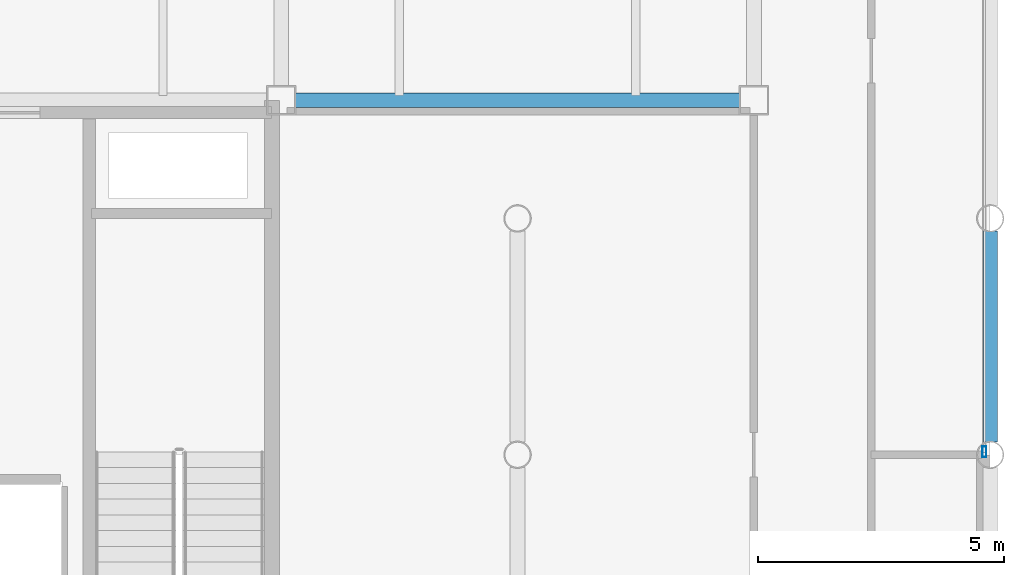
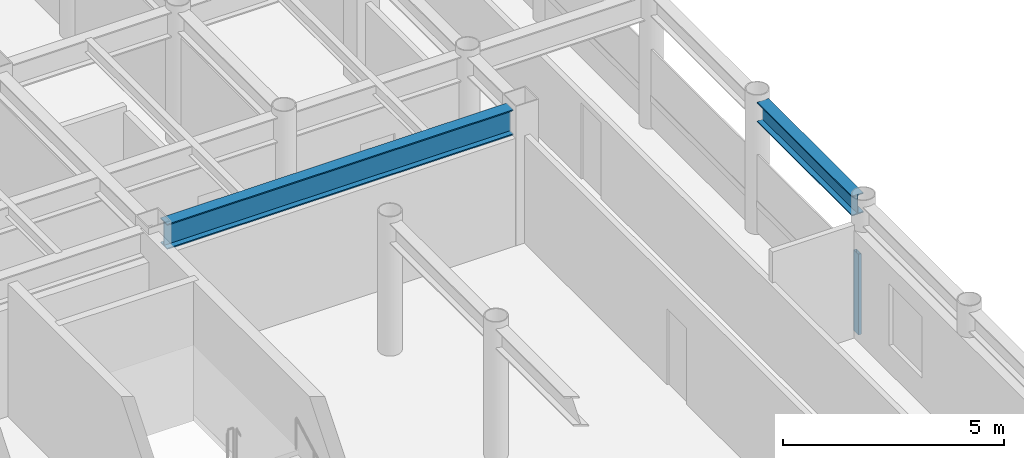
# One storey, part 10 of 22: 2 beams, 1 member, 1 element without a shape of its own.
"""IFC4 building model written with IfcOpenShell, lengths in metres."""

from ifc_helpers import new_model, si_unit, direction, frame, origin, origin_2d, place, context, subcontext, project, spatial, hollow_rectangle, i_section, extrude, material, layer, layer_set, material_profile, profile_set, type_object, element, aggregate, save


model = new_model("IFC4")

# Units and contexts
model_context = context("Model", 3, precision=1e-05, world=origin(), true_north=direction((0.0, 1.0)))
body_context = subcontext(model_context, "Body", "Model", "MODEL_VIEW")
ifc_project = project(units=[si_unit("LENGTHUNIT", "METRE"), si_unit("AREAUNIT", "SQUARE_METRE"), si_unit("VOLUMEUNIT", "CUBIC_METRE"), si_unit("PLANEANGLEUNIT", "RADIAN"), si_unit("MASSUNIT", "GRAM", prefix="KILO")], contexts=[model_context])

# Site, building, storey
site_placement = place(None, origin())
site = spatial("IfcSite", under=ifc_project, at=site_placement, CompositionType="ELEMENT")
building_placement = place(site_placement, origin())
building = spatial("IfcBuilding", under=site, at=building_placement, Name="Kallvorn Hotel Tower", CompositionType="ELEMENT")
storey_placement = place(building_placement, frame((0.0, 0.0, 256.949951171875)))
storey = spatial("IfcBuildingStorey", under=building, at=storey_placement, Name="L64", CompositionType="ELEMENT", Elevation=256.949951171875)

# Beams
ifc_material_1 = material(Name="Structural steel S355JR", Category="steel")
ifc_material_profile_1 = material_profile(ifc_material_1, i_section(OverallWidth=0.300048828125, OverallDepth=0.550048828125, WebThickness=0.014892578125, FlangeThickness=0.029052734375, at=origin_2d()), Name="HE 550 B")
ifc_profile_set_1 = profile_set([ifc_material_profile_1], Name="Structural steel S355JR")
beam_type_1 = type_object("IfcBeamType", Name="BM_HE550B", PredefinedType="SPANDREL", material=ifc_profile_set_1)
beam_1_placement = place(storey_placement, frame((28.800048828125, 0.25439453125, 3.39501953125), z_axis=(0.0, 1.0, 0.0), x_axis=(-1.0, 0.0, 0.0)))
element("IfcBeam", 1, at=beam_1_placement, inside=storey, type_object=beam_type_1, Name="L65 Primary Y-Girder 147", PredefinedType="SPANDREL", context=body_context, shape_type="SweptSolid", body=[
    extrude(i_section(OverallWidth=0.300048828125, OverallDepth=0.550048828125, WebThickness=0.014892578125, FlangeThickness=0.029052734375, at=origin_2d()), origin(), (0.0, 0.0, 1.0), 4.291015625),
])
ifc_material_2 = material(Name="Structural steel S355JR", Category="steel")
ifc_material_profile_2 = material_profile(ifc_material_2, i_section(OverallWidth=0.300048828125, OverallDepth=0.699951171875, WebThickness=0.01708984375, FlangeThickness=0.031982421875, at=origin_2d()), Name="HE 700 B")
ifc_profile_set_2 = profile_set([ifc_material_profile_2], Name="Structural steel S355JR")
beam_type_2 = type_object("IfcBeamType", Name="BM_HE700B", PredefinedType="BEAM", material=ifc_profile_set_2)
beam_2_placement = place(storey_placement, frame((14.675048828125, 7.199951171875, 3.320068359375), z_axis=(1.0, 0.0, 0.0), x_axis=(0.0, 1.0, 0.0)))
element("IfcBeam", 2, at=beam_2_placement, inside=storey, type_object=beam_type_2, Name="L65 Primary X-Girder 40", PredefinedType="BEAM", context=body_context, shape_type="SweptSolid", body=[
    extrude(i_section(OverallWidth=0.300048828125, OverallDepth=0.699951171875, WebThickness=0.01708984375, FlangeThickness=0.031982421875, at=origin_2d()), origin(), (0.0, 0.0, 1.0), 9.050048828125),
])

# Curtain wall, member
ifc_material_3 = material(Name="Thermally broken black-anodised aluminium AA 6063-T6", Category="aluminium")
ifc_layer = layer(ifc_material_3, 0.22998046875)
ifc_layer_set = layer_set([ifc_layer], Name="CW_SYS_5_HOTEL_HIGH")
curtain_wall_type = type_object("IfcCurtainWallType", Name="CW_SYS_5_HOTEL_HIGH", PredefinedType="USERDEFINED", material=ifc_layer_set)
curtain_wall_placement = place(storey_placement, origin())
curtain_wall = element("IfcCurtainWall", 3, at=curtain_wall_placement, inside=storey, type_object=curtain_wall_type, Name="L64 Dark-Glass Curtain Wall CW-L64-EN", ObjectType="UNITISED CURTAIN WALL", PredefinedType="USERDEFINED")
ifc_material_4 = material(Name="Thermally broken black-anodised aluminium AA 6063-T6", Category="aluminium")
ifc_material_profile_3 = material_profile(ifc_material_4, hollow_rectangle(XDim=0.080078125, YDim=0.219970703125, WallThickness=0.0048828125, at=origin_2d()), Name="MUL 220x80")
ifc_profile_set_3 = profile_set([ifc_material_profile_3], Name="Thermally broken black-anodised aluminium AA 6063-T6")
member_type = type_object("IfcMemberType", Name="CW_MULLION_220x80", PredefinedType="MULLION", material=ifc_profile_set_3)
member_placement = place(storey_placement, frame((28.679931640625, 0.06005859375, 0.02001953125), z_axis=(0.0, 0.0, 1.0), x_axis=(1.0, 0.0, 0.0)))
member = element("IfcMember", 4, at=member_placement, type_object=member_type, Name="CW-L64-EN Mullion 00", PredefinedType="MULLION", context=body_context, shape_type="SweptSolid", body=[
    extrude(hollow_rectangle(XDim=0.080078125, YDim=0.219970703125, WallThickness=0.0048828125, at=origin_2d()), origin(), (0.0, 0.0, 1.0), 2.22998046875),
])
aggregate(curtain_wall, [member])

save(model, "model.ifc")
